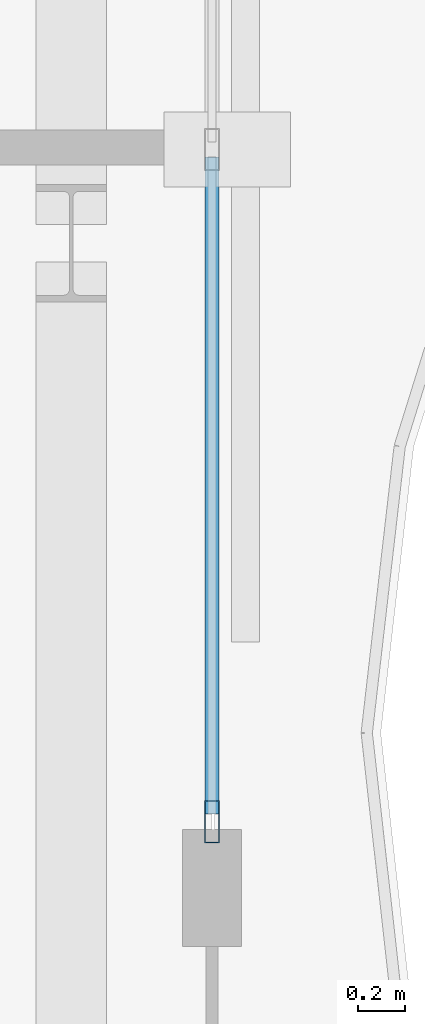
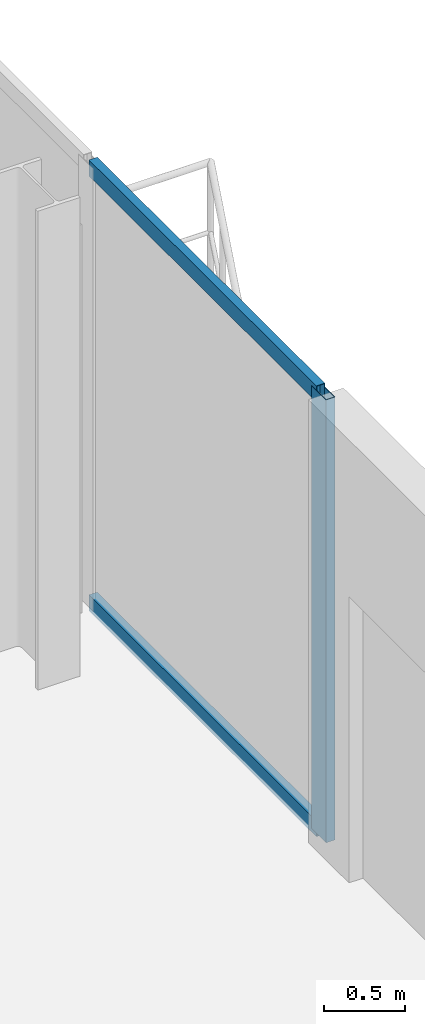
# One storey, part 14 of 23: 3 members, 1 element without a shape of its own.
"""IFC4 building model written with IfcOpenShell, lengths in metres."""

from ifc_helpers import new_model, si_unit, direction, frame, origin, origin_2d, place, context, subcontext, project, spatial, hollow_rectangle, extrude, material, layer, layer_set, material_profile, profile_set, type_object, element, aggregate, save


model = new_model("IFC4")

# Units and contexts
model_context = context("Model", 3, precision=1e-05, world=origin(), true_north=direction((0.0, 1.0)))
body_context = subcontext(model_context, "Body", "Model", "MODEL_VIEW")
ifc_project = project(units=[si_unit("LENGTHUNIT", "METRE"), si_unit("AREAUNIT", "SQUARE_METRE"), si_unit("VOLUMEUNIT", "CUBIC_METRE"), si_unit("PLANEANGLEUNIT", "RADIAN"), si_unit("MASSUNIT", "GRAM", prefix="KILO")], contexts=[model_context])

# Site, building, storey
site_placement = place(None, origin())
site = spatial("IfcSite", under=ifc_project, at=site_placement, CompositionType="ELEMENT")
building_placement = place(site_placement, origin())
building = spatial("IfcBuilding", under=site, at=building_placement, Name="Catumbela Crestline Tower", CompositionType="ELEMENT")
storey_placement = place(building_placement, frame((0.0, 0.0, 197.4)))
storey = spatial("IfcBuildingStorey", under=building, at=storey_placement, Name="L51", CompositionType="ELEMENT", Elevation=197.4)

# Curtain wall, members
ifc_material = material(Name="Aluminium alloy AW-6060-T66", Category="aluminium")
ifc_layer = layer(ifc_material, 0.18, Name="Aluminium alloy AW-6060-T66")
ifc_layer_set = layer_set([ifc_layer], Name="Aluminium alloy AW-6060-T66")
curtain_wall_type = type_object("IfcCurtainWallType", Name="CWU-Z3", PredefinedType="USERDEFINED", material=ifc_layer_set)
curtain_wall_placement = place(storey_placement, origin())
curtain_wall = element("IfcCurtainWall", 1, at=curtain_wall_placement, inside=storey, type_object=curtain_wall_type, Name="L51 Unitised Curtain Wall CW-L51-E5S2", ObjectType="UNITISED", PredefinedType="USERDEFINED")
ifc_material_profile_1 = material_profile(ifc_material, hollow_rectangle(XDim=0.065, YDim=0.18, WallThickness=0.004, at=origin_2d()), Name="ALU 180x65x4")
ifc_profile_set_1 = profile_set([ifc_material_profile_1], Name="Aluminium alloy AW-6060-T66")
member_type_1 = type_object("IfcMemberType", Name="MUL-180X65", PredefinedType="MULLION", material=ifc_profile_set_1)
member_1_placement = place(storey_placement, frame((51.0, 33.7325, 0.0), z_axis=(0.0, 0.0, 1.0), x_axis=(-1.0, 0.0, 0.0)))
member_1 = element("IfcMember", 2, at=member_1_placement, type_object=member_type_1, Name="CWU-Z3 mullion 1", PredefinedType="MULLION", context=body_context, shape_type="SweptSolid", body=[
    extrude(hollow_rectangle(XDim=0.065, YDim=0.18, WallThickness=0.004, at=origin_2d()), origin(), (0.0, 0.0, 1.0), 3.33),
])
ifc_material_profile_2 = material_profile(ifc_material, hollow_rectangle(XDim=0.06, YDim=0.12, WallThickness=0.0035, at=origin_2d()), Name="ALU 120x60x3.5")
ifc_profile_set_2 = profile_set([ifc_material_profile_2], Name="Aluminium alloy AW-6060-T66")
member_type_2 = type_object("IfcMemberType", Name="TRN-120X60", PredefinedType="USERDEFINED", material=ifc_profile_set_2)
member_2_placement = place(storey_placement, frame((51.0, 33.765, 0.03), z_axis=(0.0, 1.0, 0.0), x_axis=(-1.0, 0.0, 0.0)))
member_2 = element("IfcMember", 3, at=member_2_placement, type_object=member_type_2, Name="CWU-Z3 transom 1.1", ObjectType="TRANSOM", PredefinedType="USERDEFINED", context=body_context, shape_type="SweptSolid", body=[
    extrude(hollow_rectangle(XDim=0.06, YDim=0.12, WallThickness=0.0035, at=origin_2d()), origin(), (0.0, 0.0, 1.0), 2.8025),
])
member_3_placement = place(storey_placement, frame((51.0, 33.765, 3.3), z_axis=(0.0, 1.0, 0.0), x_axis=(-1.0, 0.0, 0.0)))
member_3 = element("IfcMember", 4, at=member_3_placement, type_object=member_type_2, Name="CWU-Z3 transom 1.2", ObjectType="TRANSOM", PredefinedType="USERDEFINED", context=body_context, shape_type="SweptSolid", body=[
    extrude(hollow_rectangle(XDim=0.06, YDim=0.12, WallThickness=0.0035, at=origin_2d()), origin(), (0.0, 0.0, 1.0), 2.8025),
])
aggregate(curtain_wall, [member_1, member_2, member_3])

save(model, "model.ifc")
